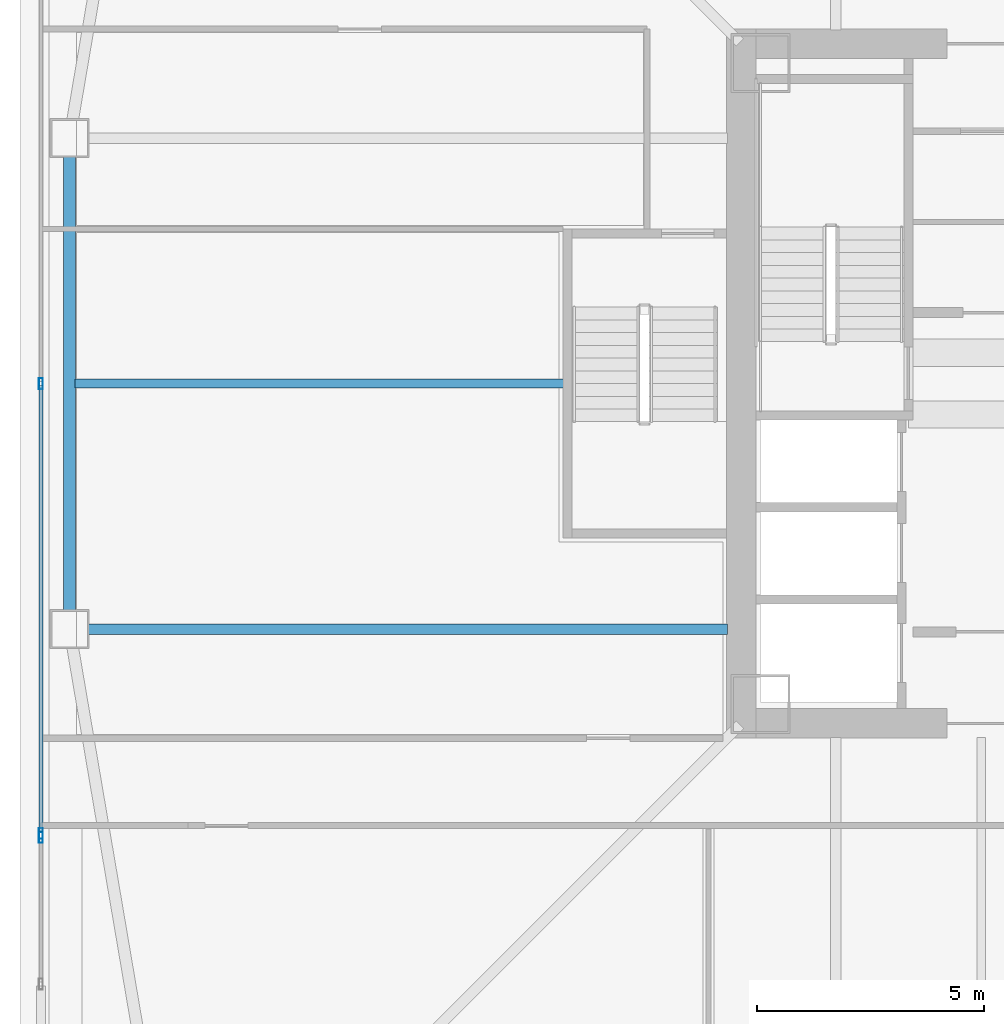
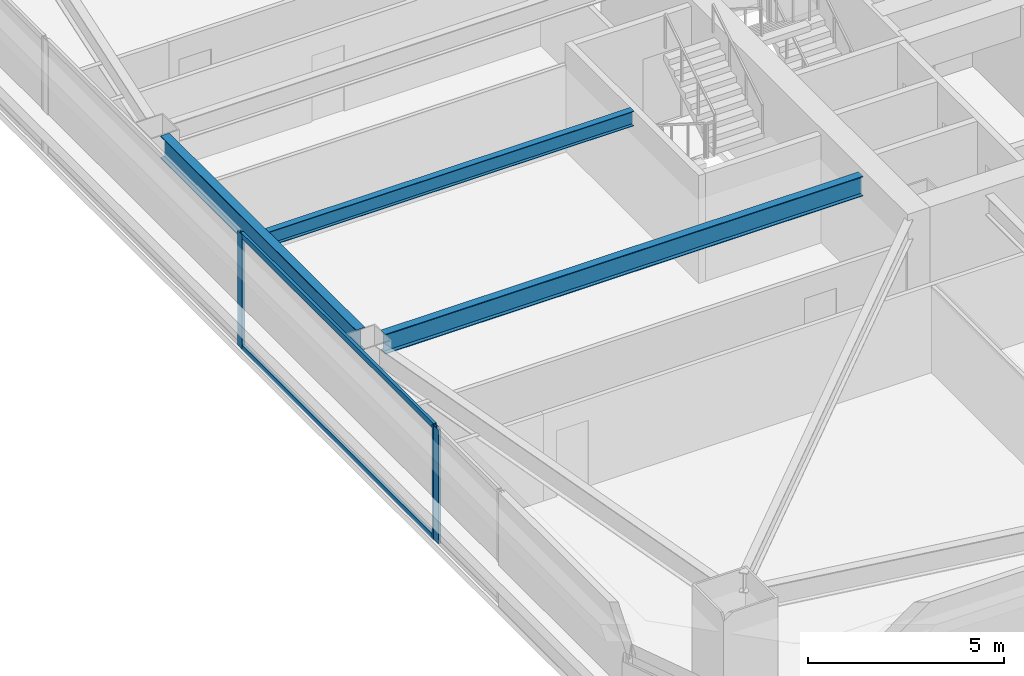
# One storey, part 7 of 48: 5 members, 3 beams, 2 elements without a shape of their own.
"""IFC4 building model written with IfcOpenShell, lengths in metres."""

import ifcopenshell
import ifcopenshell.guid

model = None  # the IFC model being written
_history = None  # IfcOwnerHistory: only IFC2X3 demands one
_inside = {}  # id of a spatial element -> (the spatial element, [elements in it])
_under = {}  # id of a project, library or spatial element -> (it, [spatial elements below it])
_declared = {}  # id of a project -> (the project, [libraries it declares])
_typed = {}  # id of a type object -> (the type object, [elements of that type])
_made_of = {}  # id of a material, layer set ... -> (it, [elements and type objects made of it])


def new_model(schema):
    """Start an empty IFC model of exactly this schema.

    Asked for "IFC4X3", IfcOpenShell would pick the latest addendum, in which some entities
    have other attributes; the version numbers below select the first issue.
    IFC2X3 requires an IfcOwnerHistory on every rooted entity: one is made here for all.
    """
    global model, _history
    if schema == "IFC4X3":
        model = ifcopenshell.file(schema_version=(4, 3, 0, 0))
    else:
        model = ifcopenshell.file(schema=schema)
    _inside.clear()
    _under.clear()
    _declared.clear()
    _typed.clear()
    _made_of.clear()
    _history = None
    if model.schema == "IFC2X3":
        org = make("IfcOrganization", Name="unknown")
        user = make(
            "IfcPersonAndOrganization",
            ThePerson=make("IfcPerson", FamilyName="unknown"),
            TheOrganization=org,
        )
        app = make(
            "IfcApplication",
            ApplicationDeveloper=org,
            Version="unknown",
            ApplicationFullName="unknown",
            ApplicationIdentifier="unknown",
        )
        _history = make(
            "IfcOwnerHistory",
            OwningUser=user,
            OwningApplication=app,
            ChangeAction="ADDED",
            CreationDate=0,
        )
    return model


def make(cls, **values):
    """One entity of the class cls with the attributes given. An attribute that is None is left unset."""
    return model.create_entity(
        cls, **{name: value for name, value in values.items() if value is not None}
    )


def rooted(cls, **values):
    """An entity with a GlobalId (a new one), such as an element, a storey or a relation."""
    return make(cls, GlobalId=ifcopenshell.guid.new(), OwnerHistory=_history, **values)


def si_unit(unit_type, name, prefix=None):
    """IfcSIUnit, for example si_unit("LENGTHUNIT", "METRE", prefix="MILLI")."""
    return make("IfcSIUnit", UnitType=unit_type, Prefix=prefix, Name=name)


def assignment(units):
    """IfcUnitAssignment: the units of a project."""
    return None if units is None else make("IfcUnitAssignment", Units=units)


def point(xyz):
    """IfcCartesianPoint."""
    return None if xyz is None else make("IfcCartesianPoint", Coordinates=xyz)


def direction(xyz):
    """IfcDirection."""
    return None if xyz is None else make("IfcDirection", DirectionRatios=xyz)


def frame(location, z_axis=None, x_axis=None):
    """IfcAxis2Placement3D, a coordinate frame: its origin and axes. An axis left out is left unset."""
    return make(
        "IfcAxis2Placement3D",
        Location=point(location),
        Axis=direction(z_axis),
        RefDirection=direction(x_axis),
    )


def frame_2d(location, x_axis=None):
    """IfcAxis2Placement2D, a coordinate frame in the plane: its origin and x axis."""
    return make(
        "IfcAxis2Placement2D", Location=point(location), RefDirection=direction(x_axis)
    )


def origin():
    """The frame at (0, 0, 0) with its axes left unset."""
    return frame((0.0, 0.0, 0.0))


def origin_2d():
    """The frame at (0, 0) in the plane with its x axis left unset."""
    return frame_2d((0.0, 0.0))


def place(relative_to, where):
    """IfcLocalPlacement: puts the frame where relative to a parent placement (None: the world)."""
    return make(
        "IfcLocalPlacement", PlacementRelTo=relative_to, RelativePlacement=where
    )


def context(
    kind, dimensions, precision=None, world=None, true_north=None, identifier=None
):
    """IfcGeometricRepresentationContext, for example the 3D "Model" context."""
    return make(
        "IfcGeometricRepresentationContext",
        ContextIdentifier=identifier,
        ContextType=kind,
        CoordinateSpaceDimension=dimensions,
        Precision=precision,
        WorldCoordinateSystem=world,
        TrueNorth=true_north,
    )


def subcontext(parent, identifier, kind, view, scale=None):
    """IfcGeometricRepresentationSubContext, for example "Body" below "Model"."""
    return make(
        "IfcGeometricRepresentationSubContext",
        ContextIdentifier=identifier,
        ContextType=kind,
        ParentContext=parent,
        TargetScale=scale,
        TargetView=view,
    )


def project(units=None, contexts=None):
    """IfcProject with its units and contexts."""
    return rooted(
        "IfcProject",
        Name="project",
        RepresentationContexts=contexts,
        UnitsInContext=assignment(units),
    )


def spatial(cls, under=None, at=None, **own):
    """A site, building, storey or space (cls), placed at a placement, below another one or the project."""
    s = rooted(cls, ObjectPlacement=at, **own)
    if under is not None:
        _under.setdefault(under.id(), (under, []))[1].append(s)
    return s


def profile(cls, at=None, kind="AREA", **sizes):
    """A parametric profile (cls). Its sizes go by their IFC names, for example OverallWidth=200.0."""
    return make(cls, ProfileType=kind, Position=at, **sizes)


def hollow_rectangle(**sizes):
    """IfcRectangleHollowProfileDef."""
    return profile("IfcRectangleHollowProfileDef", **sizes)


def i_section(**sizes):
    """IfcIShapeProfileDef."""
    return profile("IfcIShapeProfileDef", **sizes)


def extrude(swept, where, along, depth):
    """IfcExtrudedAreaSolid: the profile swept, set in the frame where, extruded along a direction by depth."""
    return make(
        "IfcExtrudedAreaSolid",
        SweptArea=swept,
        Position=where,
        ExtrudedDirection=direction(along),
        Depth=depth,
    )


def shape(context_of_items, identifier, shape_type, items):
    """IfcShapeRepresentation: the items that make up one representation, for example the "Body"."""
    return make(
        "IfcShapeRepresentation",
        ContextOfItems=context_of_items,
        RepresentationIdentifier=identifier,
        RepresentationType=shape_type,
        Items=items,
    )


def material(Name=None, Category=None):
    """IfcMaterial."""
    return make("IfcMaterial", Name=Name, Category=Category)


def material_profile(
    of_material, cross_section, Name=None, Category=None, Priority=None
):
    """IfcMaterialProfile: a cross section and its material."""
    return make(
        "IfcMaterialProfile",
        Name=Name,
        Material=of_material,
        Profile=cross_section,
        Priority=Priority,
        Category=Category,
    )


def profile_set(profiles, Name=None, composite=None):
    """IfcMaterialProfileSet."""
    return make(
        "IfcMaterialProfileSet",
        Name=Name,
        MaterialProfiles=profiles,
        CompositeProfile=composite,
    )


def made_of(thing, what):
    """Note that an element or type object is made of a material, layer set ...; save() writes the relation."""
    if what is not None:
        _made_of.setdefault(what.id(), (what, []))[1].append(thing)
    return thing


def type_object(cls, material=None, **own):
    """A type object (cls), such as IfcWallType, which elements share."""
    return made_of(rooted(cls, **own), material)


def element(
    cls,
    number,
    at=None,
    inside=None,
    cuts=None,
    type_object=None,
    material=None,
    context=None,
    identifier="Body",
    shape_type=None,
    held_by="IfcProductDefinitionShape",
    body=None,
    shapes=None,
    **own,
):
    """One element of the class cls, such as IfcWall. Its Tag is "e" and its number.

    at: its placement. inside: the storey or other place that contains it. cuts: it is an
    opening in that element (IfcRelVoidsElement). A single representation is given by context,
    identifier, shape_type and body (its items); several are given by shapes. held_by: the class
    of the entity that holds the representations. save() writes the other relations.
    """
    e = rooted(cls, Tag="e%d" % number, ObjectPlacement=at, **own)
    if body is not None:
        shapes = [shape(context, identifier, shape_type, body)]
    if shapes is not None:
        e.Representation = make(held_by, Representations=shapes)
    if inside is not None:
        _inside.setdefault(inside.id(), (inside, []))[1].append(e)
    if cuts is not None:
        rooted(
            "IfcRelVoidsElement", RelatingBuildingElement=cuts, RelatedOpeningElement=e
        )
    if type_object is not None:
        _typed.setdefault(type_object.id(), (type_object, []))[1].append(e)
    return made_of(e, material)


def aggregate(whole, parts):
    """IfcRelAggregates: a whole, such as a stair, and the parts it consists of."""
    return rooted("IfcRelAggregates", RelatingObject=whole, RelatedObjects=parts)


def save(model, path):
    """Write the relations noted so far, then the file.

    IfcRelAggregates (storeys below a building ...), IfcRelContainedInSpatialStructure (elements
    in a storey), IfcRelDefinesByType, IfcRelAssociatesMaterial and IfcRelDeclares: one each for
    every whole, place, type object, material and project.
    """
    for whole, parts in _under.values():
        aggregate(whole, parts)
    for where, things in _inside.values():
        rooted(
            "IfcRelContainedInSpatialStructure",
            RelatedElements=things,
            RelatingStructure=where,
        )
    for kind, things in _typed.values():
        rooted("IfcRelDefinesByType", RelatedObjects=things, RelatingType=kind)
    for what, things in _made_of.values():
        rooted("IfcRelAssociatesMaterial", RelatedObjects=things, RelatingMaterial=what)
    for by, libraries in _declared.values():
        rooted("IfcRelDeclares", RelatingContext=by, RelatedDefinitions=libraries)
    model.write(path)


model = new_model("IFC4")

# Units and contexts
model_context = context("Model", 3, precision=1e-05, world=origin(), true_north=direction((0.0, 1.0)))
body_context = subcontext(model_context, "Body", "Model", "MODEL_VIEW")
ifc_project = project(units=[si_unit("LENGTHUNIT", "METRE"), si_unit("AREAUNIT", "SQUARE_METRE"), si_unit("VOLUMEUNIT", "CUBIC_METRE"), si_unit("PLANEANGLEUNIT", "RADIAN"), si_unit("MASSUNIT", "GRAM", prefix="KILO")], contexts=[model_context])

# Site, building, storey
site_placement = place(None, origin())
site = spatial("IfcSite", under=ifc_project, at=site_placement, CompositionType="ELEMENT")
building_placement = place(site_placement, origin())
building = spatial("IfcBuilding", under=site, at=building_placement, Name="Tashvorn Skyway Center", CompositionType="ELEMENT")
storey_placement = place(building_placement, frame((0.0, 0.0, 56.550048828125)))
storey = spatial("IfcBuildingStorey", under=building, at=storey_placement, Name="L14", CompositionType="ELEMENT", Elevation=56.550048828125)

# Beams
ifc_material_1 = material(Name="Steel ASTM A992 Grade 50", Category="steel")
ifc_material_profile_1 = material_profile(ifc_material_1, i_section(OverallWidth=0.22998046875, OverallDepth=0.616943359375, WebThickness=0.01318359375, FlangeThickness=0.022216796875, at=origin_2d()), Name="W24X94")
ifc_profile_set_1 = profile_set([ifc_material_profile_1], Name="Steel ASTM A992 Grade 50")
beam_type_1 = type_object("IfcBeamType", Name="BM-BEAM-W24X94", PredefinedType="BEAM", material=ifc_profile_set_1)
beam_1_placement = place(storey_placement, frame((20.169921875, 26.60009765625, 3.04150390625), z_axis=(1.0, 0.0, 0.0), x_axis=(0.0, 1.0, 0.0)))
element("IfcBeam", 1, at=beam_1_placement, inside=storey, type_object=beam_type_1, Name="Tower 1 L14 Primary Floor Girder FC-W2", PredefinedType="BEAM", context=body_context, shape_type="SweptSolid", body=[
    extrude(i_section(OverallWidth=0.22998046875, OverallDepth=0.616943359375, WebThickness=0.01318359375, FlangeThickness=0.022216796875, at=origin_2d()), origin(), (0.0, 0.0, 1.0), 14.050048828125),
])
ifc_material_profile_2 = material_profile(ifc_material_1, i_section(OverallWidth=0.19091796875, OverallDepth=0.4599609375, WebThickness=0.010009765625, FlangeThickness=0.01611328125, at=origin_2d()), Name="W18X55")
ifc_profile_set_2 = profile_set([ifc_material_profile_2], Name="Steel ASTM A992 Grade 50")
beam_type_2 = type_object("IfcBeamType", Name="BM-JOIST-W18X55", PredefinedType="JOIST", material=ifc_profile_set_2)
beam_2_placement = place(storey_placement, frame((30.610107421875, 32.0, 3.119873046875), z_axis=(-1.0, 0.0, 0.0), x_axis=(0.0, -1.0, 0.0)))
element("IfcBeam", 2, at=beam_2_placement, inside=storey, type_object=beam_type_2, Name="Tower 1 L14 Secondary Composite Joist JW", PredefinedType="JOIST", context=body_context, shape_type="SweptSolid", body=[
    extrude(i_section(OverallWidth=0.19091796875, OverallDepth=0.4599609375, WebThickness=0.010009765625, FlangeThickness=0.01611328125, at=origin_2d()), origin(), (0.0, 0.0, 1.0), 10.739990234375),
])
ifc_material_profile_3 = material_profile(ifc_material_1, i_section(OverallWidth=0.256103515625, OverallDepth=0.693115234375, WebThickness=0.014404296875, FlangeThickness=0.023681640625, at=origin_2d()), Name="W27X114")
ifc_profile_set_3 = profile_set([ifc_material_profile_3], Name="Steel ASTM A992 Grade 50")
beam_type_3 = type_object("IfcBeamType", Name="BM-SPANDREL-W27X114", PredefinedType="SPANDREL", material=ifc_profile_set_3)
beam_3_placement = place(storey_placement, frame((19.75, 36.97998046875, 3.00341796875), z_axis=(0.0, -1.0, 0.0), x_axis=(1.0, 0.0, 0.0)))
element("IfcBeam", 3, at=beam_3_placement, inside=storey, type_object=beam_type_3, Name="Tower 1 L14 Spandrel Beam 11", PredefinedType="SPANDREL", context=body_context, shape_type="SweptSolid", body=[
    extrude(i_section(OverallWidth=0.256103515625, OverallDepth=0.693115234375, WebThickness=0.014404296875, FlangeThickness=0.023681640625, at=origin_2d()), origin(), (0.0, 0.0, 1.0), 9.9599609375),
])

# Curtain wall, member
ifc_material_2 = material(Name="Thermally broken bronze-anodized aluminium 6063-T6", Category="aluminium")
curtain_wall_type = type_object("IfcCurtainWallType", Name="CW-CW-Z1", PredefinedType="NOTDEFINED", material=ifc_material_2)
curtain_wall_1_placement = place(storey_placement, origin())
curtain_wall_1 = element("IfcCurtainWall", 4, at=curtain_wall_1_placement, inside=storey, type_object=curtain_wall_type, Name="Tower 1 L14 West Unitised Curtain Wall Glazing Group 1", PredefinedType="NOTDEFINED")
ifc_material_profile_4 = material_profile(ifc_material_2, hollow_rectangle(XDim=0.0849609375, YDim=0.239990234375, WallThickness=0.0048828125, at=origin_2d()), Name="ALU-MULL-85x240")
ifc_profile_set_4 = profile_set([ifc_material_profile_4], Name="Thermally broken bronze-anodized aluminium 6063-T6")
member_type_1 = type_object("IfcMemberType", Name="CWM-CW-Z1", PredefinedType="MULLION", material=ifc_profile_set_4)
member_1_placement = place(storey_placement, frame((19.1201171875, 22.017578125, 0.0), z_axis=(0.0, 0.0, 1.0), x_axis=(-1.0, 0.0, 0.0)))
member_1 = element("IfcMember", 5, at=member_1_placement, type_object=member_type_1, Name="CW-Z1 mullion 2", PredefinedType="MULLION", context=body_context, shape_type="SweptSolid", body=[
    extrude(hollow_rectangle(XDim=0.0849609375, YDim=0.239990234375, WallThickness=0.0048828125, at=origin_2d()), origin(), (0.0, 0.0, 1.0), 3.550048828125),
])
aggregate(curtain_wall_1, [member_1])

# Curtain wall, members
curtain_wall_2_placement = place(storey_placement, origin())
curtain_wall_2 = element("IfcCurtainWall", 6, at=curtain_wall_2_placement, inside=storey, type_object=curtain_wall_type, Name="Tower 1 L14 West Unitised Curtain Wall Glazing Group 2", PredefinedType="NOTDEFINED")
member_2_placement = place(storey_placement, frame((19.1201171875, 22.1025390625, 0.0), z_axis=(0.0, 0.0, 1.0), x_axis=(-1.0, 0.0, 0.0)))
member_2 = element("IfcMember", 7, at=member_2_placement, type_object=member_type_1, Name="CW-Z1 mullion 1", PredefinedType="MULLION", context=body_context, shape_type="SweptSolid", body=[
    extrude(hollow_rectangle(XDim=0.0849609375, YDim=0.239990234375, WallThickness=0.0048828125, at=origin_2d()), origin(), (0.0, 0.0, 1.0), 3.550048828125),
])
member_3_placement = place(storey_placement, frame((19.1201171875, 32.0, 0.0), z_axis=(0.0, 0.0, 1.0), x_axis=(-1.0, 0.0, 0.0)))
member_3 = element("IfcMember", 8, at=member_3_placement, type_object=member_type_1, Name="CW-Z1 mullion 2", PredefinedType="MULLION", context=body_context, shape_type="SweptSolid", body=[
    extrude(hollow_rectangle(XDim=0.0849609375, YDim=0.239990234375, WallThickness=0.0048828125, at=origin_2d()), origin(), (0.0, 0.0, 1.0), 3.550048828125),
])
ifc_material_profile_5 = material_profile(ifc_material_2, hollow_rectangle(XDim=0.0849609375, YDim=0.1650390625, WallThickness=0.0048828125, at=origin_2d()), Name="ALU-TRAN-85x165")
ifc_profile_set_5 = profile_set([ifc_material_profile_5], Name="Thermally broken bronze-anodized aluminium 6063-T6")
member_type_2 = type_object("IfcMemberType", Name="CWT-CW-Z1", PredefinedType="USERDEFINED", material=ifc_profile_set_5)
member_4_placement = place(storey_placement, frame((19.1201171875, 22.14501953125, 0.04248046875), z_axis=(0.0, 1.0, 0.0), x_axis=(-1.0, 0.0, 0.0)))
member_4 = element("IfcMember", 9, at=member_4_placement, type_object=member_type_2, Name="CW-Z1 transom 1.1", ObjectType="TRANSOM", PredefinedType="USERDEFINED", context=body_context, shape_type="SweptSolid", body=[
    extrude(hollow_rectangle(XDim=0.0849609375, YDim=0.1650390625, WallThickness=0.0048828125, at=origin_2d()), origin(), (0.0, 0.0, 1.0), 9.8125),
])
member_5_placement = place(storey_placement, frame((19.1201171875, 22.14501953125, 3.507568359375), z_axis=(0.0, 1.0, 0.0), x_axis=(-1.0, 0.0, 0.0)))
member_5 = element("IfcMember", 10, at=member_5_placement, type_object=member_type_2, Name="CW-Z1 transom 1.2", ObjectType="TRANSOM", PredefinedType="USERDEFINED", context=body_context, shape_type="SweptSolid", body=[
    extrude(hollow_rectangle(XDim=0.0849609375, YDim=0.1650390625, WallThickness=0.0048828125, at=origin_2d()), origin(), (0.0, 0.0, 1.0), 9.8125),
])
aggregate(curtain_wall_2, [member_2, member_3, member_4, member_5])

save(model, "model.ifc")
